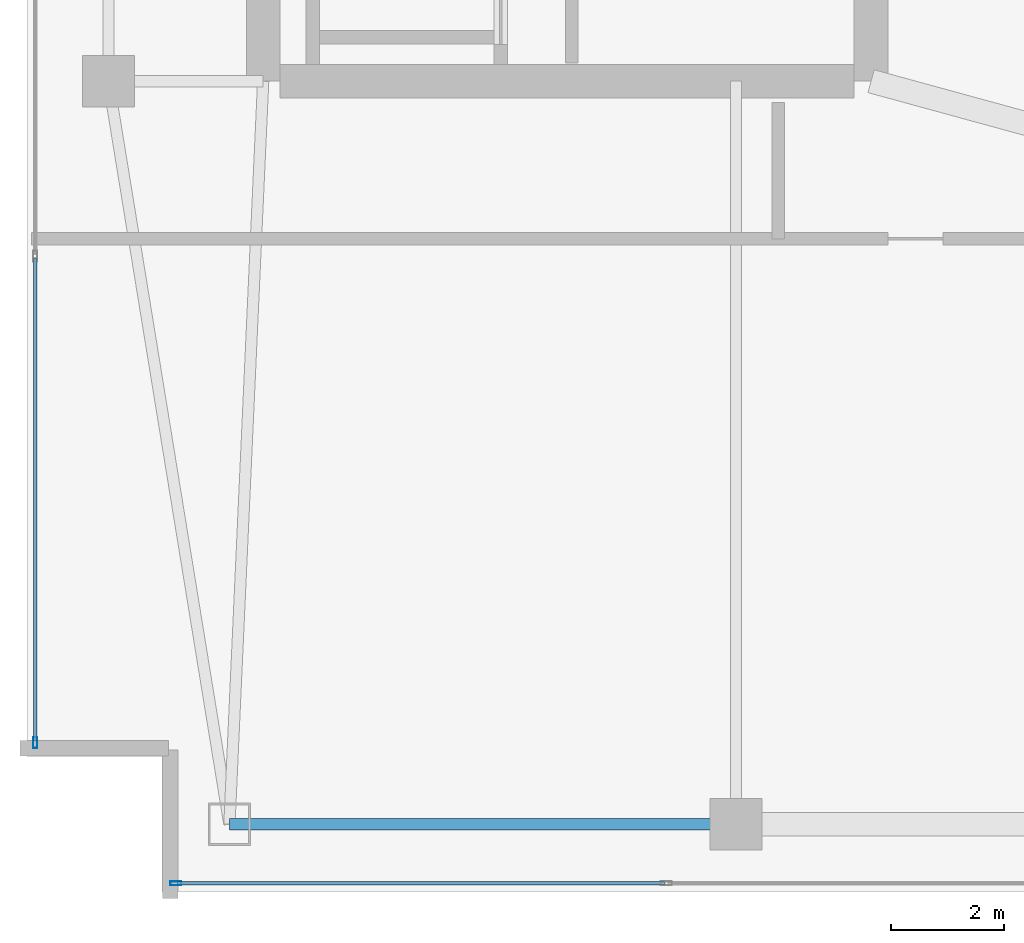
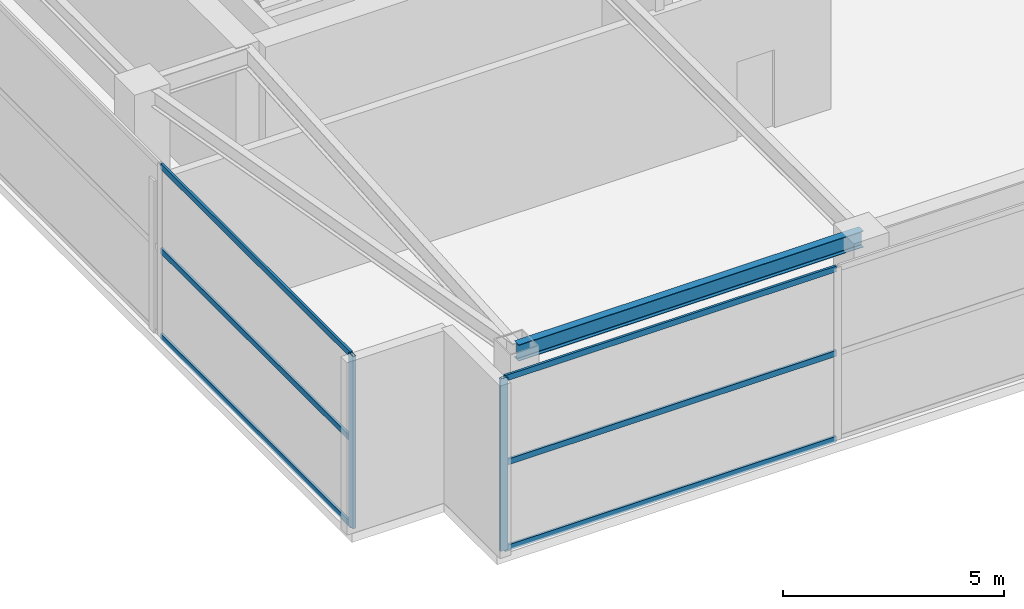
# One storey, part 3 of 22: 8 members, 1 beam, 2 elements without a shape of their own.
"""IFC4 building model written with IfcOpenShell, lengths in metres."""

from ifc_helpers import new_model, si_unit, direction, frame, origin, origin_2d, place, context, subcontext, project, spatial, hollow_rectangle, i_section, extrude, material, layer, layer_set, material_profile, profile_set, type_object, element, aggregate, save


model = new_model("IFC4")

# Units and contexts
model_context = context("Model", 3, precision=1e-05, world=origin(), true_north=direction((0.0, 1.0)))
body_context = subcontext(model_context, "Body", "Model", "MODEL_VIEW")
ifc_project = project(units=[si_unit("LENGTHUNIT", "METRE"), si_unit("AREAUNIT", "SQUARE_METRE"), si_unit("VOLUMEUNIT", "CUBIC_METRE"), si_unit("PLANEANGLEUNIT", "RADIAN"), si_unit("MASSUNIT", "GRAM", prefix="KILO")], contexts=[model_context])

# Site, building, storey
site_placement = place(None, origin())
site = spatial("IfcSite", under=ifc_project, at=site_placement, CompositionType="ELEMENT")
building_placement = place(site_placement, origin())
building = spatial("IfcBuilding", under=site, at=building_placement, Name="Calvorn Quay Hotel", CompositionType="ELEMENT")
storey_placement = place(building_placement, frame((0.0, 0.0, 325.5)))
storey = spatial("IfcBuildingStorey", under=building, at=storey_placement, Name="L80", CompositionType="ELEMENT", Elevation=325.5)

# Beam
ifc_material_1 = material(Name="Steel Q355B", Category="steel")
ifc_material_profile_1 = material_profile(ifc_material_1, i_section(OverallWidth=0.199951171875, OverallDepth=0.449951171875, WebThickness=0.009033203125, FlangeThickness=0.013916015625, FilletRadius=0.01611328125, at=origin_2d()), Name="HN450x200x9x14")
ifc_profile_set_1 = profile_set([ifc_material_profile_1], Name="Steel Q355B")
beam_type = type_object("IfcBeamType", Name="BM-SPANDREL-Z3", PredefinedType="SPANDREL", material=ifc_profile_set_1)
beam_placement = place(storey_placement, frame((3.60009765625, 3.60009765625, 4.514892578125), z_axis=(1.0, 0.0, 0.0), x_axis=(0.0, 1.0, 0.0)))
element("IfcBeam", 1, at=beam_placement, inside=storey, type_object=beam_type, Name="Beam BSP-L80-CS1", PredefinedType="SPANDREL", context=body_context, shape_type="SweptSolid", body=[
    extrude(i_section(OverallWidth=0.199951171875, OverallDepth=0.449951171875, WebThickness=0.009033203125, FlangeThickness=0.013916015625, FilletRadius=0.01611328125, at=origin_2d()), origin(), (0.0, 0.0, 1.0), 9.0),
])

# Curtain wall, member
ifc_material_2 = material(Name="Pale Anodised Aluminium and Laminated Glass", Category="aluminium")
ifc_layer = layer(ifc_material_2, 0.219970703125)
ifc_layer_set = layer_set([ifc_layer], Name="CW-SYS-CRN")
curtain_wall_type = type_object("IfcCurtainWallType", Name="CW-SYS-CRN", PredefinedType="NOTDEFINED", material=ifc_layer_set)
curtain_wall_1_placement = place(storey_placement, origin())
curtain_wall_1 = element("IfcCurtainWall", 2, at=curtain_wall_1_placement, inside=storey, type_object=curtain_wall_type, Name="Crown Curtain Wall L80-C1", PredefinedType="NOTDEFINED")
ifc_material_3 = material(Name="Pale Anodised Aluminium 6063-T6", Category="aluminium")
ifc_material_profile_2 = material_profile(ifc_material_3, hollow_rectangle(XDim=0.072021484375, YDim=0.195068359375, WallThickness=0.00390625, at=origin_2d()), Name="ALU-M195x72x4")
ifc_profile_set_2 = profile_set([ifc_material_profile_2], Name="Pale Anodised Aluminium 6063-T6")
member_type_1 = type_object("IfcMemberType", Name="CW-SYS-CRN-MUL", PredefinedType="MULLION", material=ifc_profile_set_2)
member_1_placement = place(storey_placement, frame((2.64990234375, 2.550048828125, 0.0), z_axis=(0.0, 0.0, 1.0), x_axis=(0.0, 1.0, 0.0)))
member_1 = element("IfcMember", 3, at=member_1_placement, type_object=member_type_1, Name="CW-L80-C1 mullion 1", PredefinedType="MULLION", context=body_context, shape_type="SweptSolid", body=[
    extrude(hollow_rectangle(XDim=0.072021484375, YDim=0.195068359375, WallThickness=0.00390625, at=origin_2d()), origin(), (0.0, 0.0, 1.0), 4.760009765625),
])

curtain_wall_2_placement = place(storey_placement, origin())
curtain_wall_2 = element("IfcCurtainWall", 4, at=curtain_wall_2_placement, inside=storey, type_object=curtain_wall_type, Name="Crown Curtain Wall L80-C5", PredefinedType="NOTDEFINED")
member_2_placement = place(storey_placement, frame((0.14990234375, 5.050048828125, 0.0), z_axis=(0.0, 0.0, 1.0), x_axis=(1.0, 0.0, 0.0)))
member_2 = element("IfcMember", 5, at=member_2_placement, type_object=member_type_1, Name="CW-L80-C5 mullion 6", PredefinedType="MULLION", context=body_context, shape_type="SweptSolid", body=[
    extrude(hollow_rectangle(XDim=0.072021484375, YDim=0.195068359375, WallThickness=0.00390625, at=origin_2d()), origin(), (0.0, 0.0, 1.0), 4.760009765625),
])

# Member
ifc_material_4 = material(Name="Pale Anodised Aluminium 6063-T6", Category="aluminium")
ifc_material_profile_3 = material_profile(ifc_material_4, hollow_rectangle(XDim=0.06201171875, YDim=0.159912109375, WallThickness=0.00341796875, at=origin_2d()), Name="ALU-T160x62x3.5")
ifc_profile_set_3 = profile_set([ifc_material_profile_3], Name="Pale Anodised Aluminium 6063-T6")
member_type_2 = type_object("IfcMemberType", Name="CW-SYS-CRN-TRN", PredefinedType="USERDEFINED", material=ifc_profile_set_3)
member_3_placement = place(storey_placement, frame((2.679931640625, 2.550048828125, 0.030029296875), z_axis=(1.0, 0.0, 0.0), x_axis=(0.0, 1.0, 0.0)))
member_3 = element("IfcMember", 6, at=member_3_placement, type_object=member_type_2, Name="CW-L80-C1 transom 1.1", ObjectType="TRANSOM", PredefinedType="USERDEFINED", context=body_context, shape_type="SweptSolid", body=[
    extrude(hollow_rectangle(XDim=0.06201171875, YDim=0.159912109375, WallThickness=0.00341796875, at=origin_2d()), origin(), (0.0, 0.0, 1.0), 8.65234375),
])

member_4_placement = place(storey_placement, frame((2.679931640625, 2.550048828125, 2.39990234375), z_axis=(1.0, 0.0, 0.0), x_axis=(0.0, 1.0, 0.0)))
member_4 = element("IfcMember", 7, at=member_4_placement, type_object=member_type_2, Name="CW-L80-C1 transom 1.2", ObjectType="TRANSOM", PredefinedType="USERDEFINED", context=body_context, shape_type="SweptSolid", body=[
    extrude(hollow_rectangle(XDim=0.06201171875, YDim=0.159912109375, WallThickness=0.00341796875, at=origin_2d()), origin(), (0.0, 0.0, 1.0), 8.65234375),
])

member_5_placement = place(storey_placement, frame((2.679931640625, 2.550048828125, 4.72998046875), z_axis=(1.0, 0.0, 0.0), x_axis=(0.0, 1.0, 0.0)))
member_5 = element("IfcMember", 8, at=member_5_placement, type_object=member_type_2, Name="CW-L80-C1 transom 1.3", ObjectType="TRANSOM", PredefinedType="USERDEFINED", context=body_context, shape_type="SweptSolid", body=[
    extrude(hollow_rectangle(XDim=0.06201171875, YDim=0.159912109375, WallThickness=0.00341796875, at=origin_2d()), origin(), (0.0, 0.0, 1.0), 8.65234375),
])

aggregate(curtain_wall_1, [member_1, member_3, member_4, member_5])

member_6_placement = place(storey_placement, frame((0.14990234375, 13.662109375, 0.030029296875), z_axis=(0.0, -1.0, 0.0), x_axis=(1.0, 0.0, 0.0)))
member_6 = element("IfcMember", 9, at=member_6_placement, type_object=member_type_2, Name="CW-L80-C5 transom 5.1", ObjectType="TRANSOM", PredefinedType="USERDEFINED", context=body_context, shape_type="SweptSolid", body=[
    extrude(hollow_rectangle(XDim=0.06201171875, YDim=0.159912109375, WallThickness=0.00341796875, at=origin_2d()), origin(), (0.0, 0.0, 1.0), 8.58203125),
])

member_7_placement = place(storey_placement, frame((0.14990234375, 13.662109375, 2.39990234375), z_axis=(0.0, -1.0, 0.0), x_axis=(1.0, 0.0, 0.0)))
member_7 = element("IfcMember", 10, at=member_7_placement, type_object=member_type_2, Name="CW-L80-C5 transom 5.2", ObjectType="TRANSOM", PredefinedType="USERDEFINED", context=body_context, shape_type="SweptSolid", body=[
    extrude(hollow_rectangle(XDim=0.06201171875, YDim=0.159912109375, WallThickness=0.00341796875, at=origin_2d()), origin(), (0.0, 0.0, 1.0), 8.58203125),
])

member_8_placement = place(storey_placement, frame((0.14990234375, 13.662109375, 4.72998046875), z_axis=(0.0, -1.0, 0.0), x_axis=(1.0, 0.0, 0.0)))
member_8 = element("IfcMember", 11, at=member_8_placement, type_object=member_type_2, Name="CW-L80-C5 transom 5.3", ObjectType="TRANSOM", PredefinedType="USERDEFINED", context=body_context, shape_type="SweptSolid", body=[
    extrude(hollow_rectangle(XDim=0.06201171875, YDim=0.159912109375, WallThickness=0.00341796875, at=origin_2d()), origin(), (0.0, 0.0, 1.0), 8.58203125),
])

aggregate(curtain_wall_2, [member_2, member_6, member_7, member_8])

save(model, "model.ifc")
